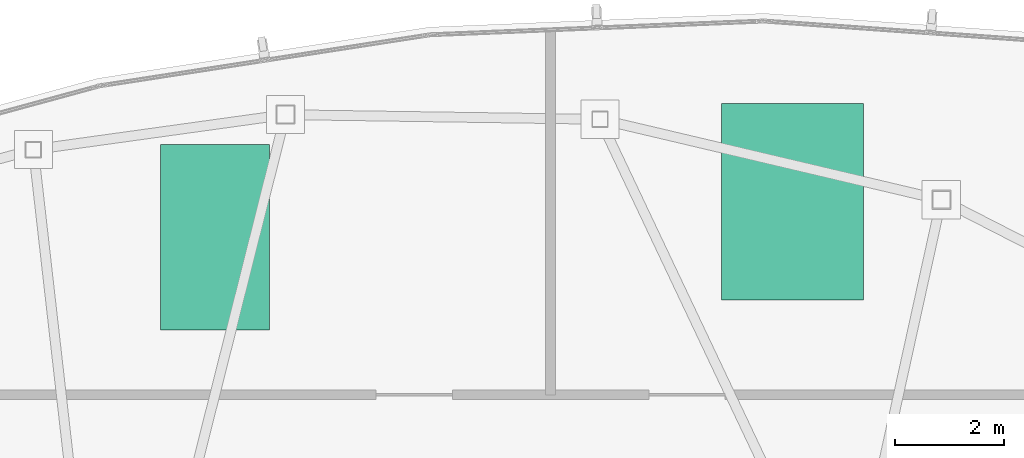
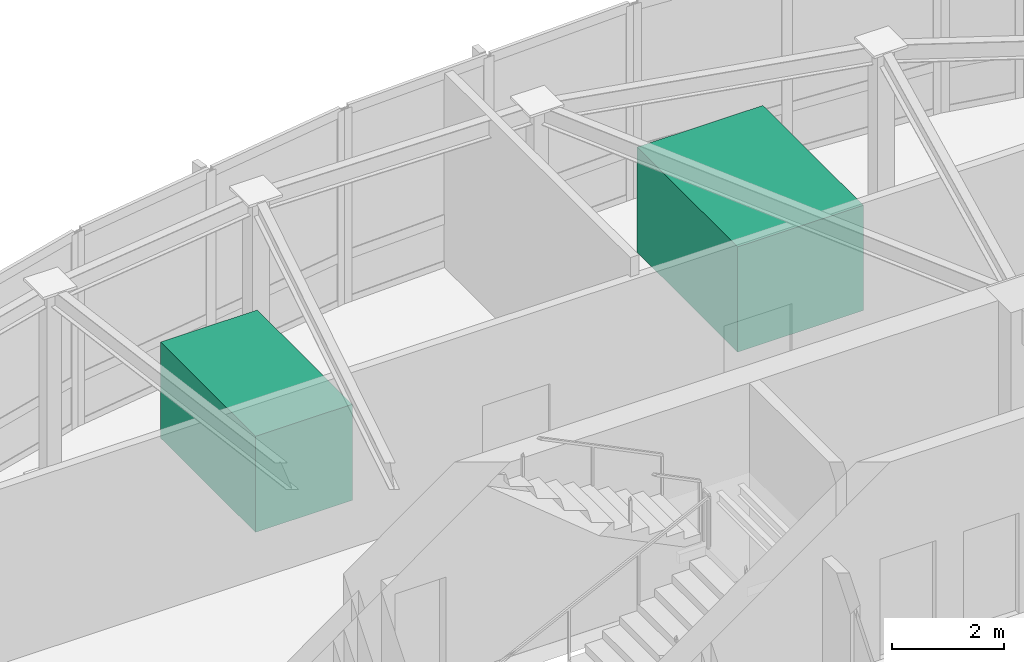
# One storey, part 10 of 10: 1 tank, 1 unitary equipment element.
"""IFC4 building model written with IfcOpenShell, lengths in metres."""

from ifc_helpers import new_model, si_unit, direction, frame, origin, origin_2d, place, context, subcontext, project, spatial, rectangle, extrude, material, type_object, element, save


model = new_model("IFC4")

# Units and contexts
model_context = context("Model", 3, precision=1e-05, world=origin(), true_north=direction((0.0, 1.0)))
body_context = subcontext(model_context, "Body", "Model", "MODEL_VIEW")
ifc_project = project(units=[si_unit("LENGTHUNIT", "METRE"), si_unit("AREAUNIT", "SQUARE_METRE"), si_unit("VOLUMEUNIT", "CUBIC_METRE"), si_unit("PLANEANGLEUNIT", "RADIAN"), si_unit("MASSUNIT", "GRAM", prefix="KILO")], contexts=[model_context])

# Site, building, storey
site_placement = place(None, origin())
site = spatial("IfcSite", under=ifc_project, at=site_placement, CompositionType="ELEMENT")
building_placement = place(site_placement, origin())
building = spatial("IfcBuilding", under=site, at=building_placement, Name="Tavelor Broadcast Tower", CompositionType="ELEMENT")
storey_placement = place(building_placement, frame((0.0, 0.0, 355.10009765625)))
storey = spatial("IfcBuildingStorey", under=building, at=storey_placement, Name="L84", CompositionType="ELEMENT", Elevation=355.10009765625)

# Unitary equipment
ifc_material = material(Name="Steel S355", Category="steel")
unitary_equipment_type = type_object("IfcUnitaryEquipmentType", Name="Broadcast Acoustic Air Handling Unit AHU", PredefinedType="AIRHANDLER", material=ifc_material)
unitary_equipment_placement = place(storey_placement, frame((45.046630859375, 58.53564453125, -0.000244140625), z_axis=(0.0, 0.0, 1.0), x_axis=(1.0, 0.0, 0.0)))
element("IfcUnitaryEquipment", 1, at=unitary_equipment_placement, inside=storey, type_object=unitary_equipment_type, Name="L84 Broadcast Acoustic Air Handling Unit #19", PredefinedType="AIRHANDLER", context=body_context, shape_type="SweptSolid", body=[
    extrude(rectangle(XDim=2.0, YDim=3.39990234375, at=origin_2d()), origin(), (0.0, 0.0, 1.0), 2.10009765625),
])

# Tank
tank_type = type_object("IfcTankType", Name="Sectional Stainless Steel Fire and Domestic Water Tank", PredefinedType="STORAGE", material=ifc_material)
tank_placement = place(storey_placement, frame((55.635498046875, 59.19189453125, 0.0), z_axis=(0.0, 0.0, 1.0), x_axis=(1.0, 0.0, 0.0)))
element("IfcTank", 2, at=tank_placement, inside=storey, type_object=tank_type, Name="L84 Sectional Stainless Water Tank #20", PredefinedType="STORAGE", context=body_context, shape_type="SweptSolid", body=[
    extrude(rectangle(XDim=2.60009765625, YDim=3.60009765625, at=origin_2d()), origin(), (0.0, 0.0, 1.0), 2.300048828125),
])

save(model, "model.ifc")
